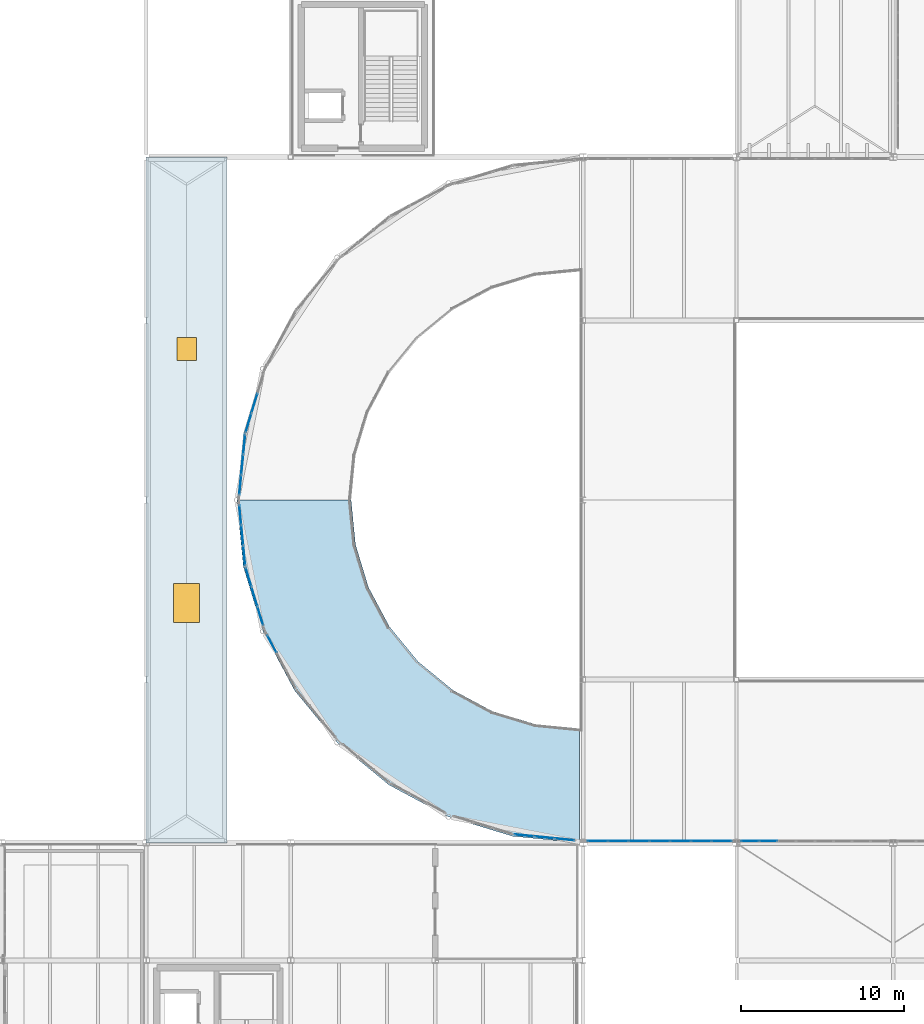
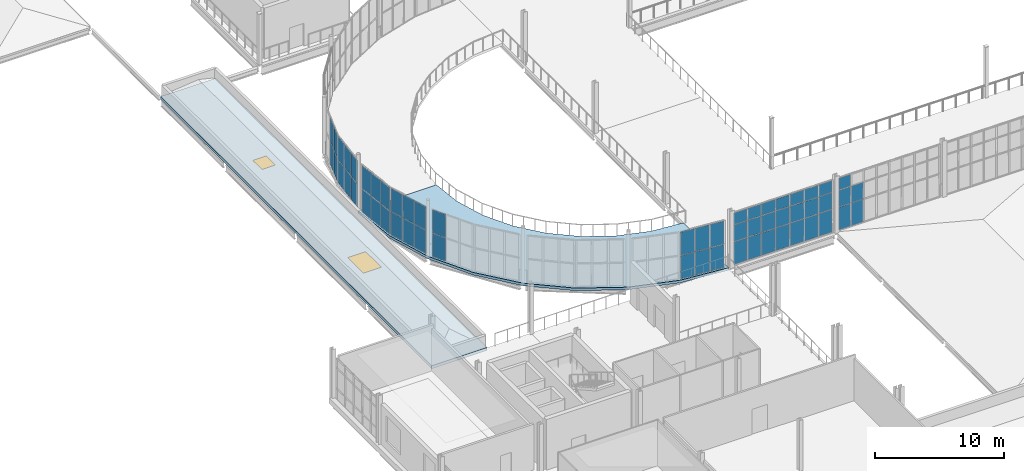
# One storey, part 74 of 112: 56 plates, 2 slabs, 1 door, 1 window, 2 openings, 8 elements without a shape of their own.
"""IFC4 building model written with IfcOpenShell, lengths in metres."""

from ifc_helpers import new_model, si_unit, direction, frame, origin, origin_2d, place, context, subcontext, project, spatial, polyline, rectangle, outline, extrude, material, layer, layer_set, type_object, element, fill, aggregate, save


model = new_model("IFC4")

# Units and contexts
model_context = context("Model", 3, precision=1e-05, world=origin(), true_north=direction((0.0, 1.0)))
body_context = subcontext(model_context, "Body", "Model", "MODEL_VIEW")
ifc_project = project(units=[si_unit("LENGTHUNIT", "METRE"), si_unit("AREAUNIT", "SQUARE_METRE"), si_unit("VOLUMEUNIT", "CUBIC_METRE"), si_unit("PLANEANGLEUNIT", "RADIAN"), si_unit("MASSUNIT", "GRAM", prefix="KILO")], contexts=[model_context])

# Site, building, storey
site_placement = place(None, origin())
site = spatial("IfcSite", under=ifc_project, at=site_placement, CompositionType="ELEMENT")
building_placement = place(site_placement, origin())
building = spatial("IfcBuilding", under=site, at=building_placement, Name="Yeouljin Market Hall", CompositionType="ELEMENT")
storey_placement = place(building_placement, frame((0.0, 0.0, 6.0)))
storey = spatial("IfcBuildingStorey", under=building, at=storey_placement, Name="L01", CompositionType="ELEMENT", Elevation=6.0)

# Curtain wall, plates
ifc_material_1 = material(Name="Thermally Broken Aluminium", Category="aluminium")
ifc_layer_1 = layer(ifc_material_1, 0.159912109375)
ifc_layer_set_1 = layer_set([ifc_layer_1], Name="Thermally Broken Aluminium")
curtain_wall_type_1 = type_object("IfcCurtainWallType", Name="CW_HallClerestory_System", PredefinedType="USERDEFINED", material=ifc_layer_set_1)
curtain_wall_1_placement = place(storey_placement, origin())
curtain_wall_1 = element("IfcCurtainWall", 1, at=curtain_wall_1_placement, inside=storey, type_object=curtain_wall_type_1, Name="Curtain wall CW-V1S-L01-01", ObjectType="CURTAIN WALL", PredefinedType="USERDEFINED")
ifc_material_2 = material(Name="Low-E Insulated Glass", Category="glass")
ifc_layer_2 = layer(ifc_material_2, 0.028076171875)
ifc_layer_set_2 = layer_set([ifc_layer_2], Name="Low-E Insulated Glass")
plate_type = type_object("IfcPlateType", Name="CWPanel_LowE_28", PredefinedType="CURTAIN_PANEL", material=ifc_layer_set_2)
plate_1_placement = place(storey_placement, frame((44.102294921875, 36.10009765625, 0.048095703125), z_axis=(0.0, 0.0, 1.0), x_axis=(-1.0, 0.0, 0.0)))
plate_1 = element("IfcPlate", 2, at=plate_1_placement, type_object=plate_type, Name="CW-02 panel 1.1", PredefinedType="CURTAIN_PANEL", context=body_context, shape_type="SweptSolid", body=[
    extrude(rectangle(XDim=1.199462890625, YDim=0.028076171875, at=origin_2d()), origin(), (0.0, 0.0, 1.0), 2.1279296875),
])
plate_2_placement = place(storey_placement, frame((44.102294921875, 36.10009765625, 2.22412109375), z_axis=(0.0, 0.0, 1.0), x_axis=(-1.0, 0.0, 0.0)))
plate_2 = element("IfcPlate", 3, at=plate_2_placement, type_object=plate_type, Name="CW-02 panel 1.2", PredefinedType="CURTAIN_PANEL", context=body_context, shape_type="SweptSolid", body=[
    extrude(rectangle(XDim=1.199462890625, YDim=0.028076171875, at=origin_2d()), origin(), (0.0, 0.0, 1.0), 1.552001953125),
])
plate_3_placement = place(storey_placement, frame((44.102294921875, 36.10009765625, 3.82421875), z_axis=(0.0, 0.0, 1.0), x_axis=(-1.0, 0.0, 0.0)))
plate_3 = element("IfcPlate", 4, at=plate_3_placement, type_object=plate_type, Name="CW-02 panel 1.3", PredefinedType="CURTAIN_PANEL", context=body_context, shape_type="SweptSolid", body=[
    extrude(rectangle(XDim=1.199462890625, YDim=0.028076171875, at=origin_2d()), origin(), (0.0, 0.0, 1.0), 1.097900390625),
])
plate_4_placement = place(storey_placement, frame((42.8427734375, 36.10009765625, 0.048095703125), z_axis=(0.0, 0.0, 1.0), x_axis=(-1.0, 0.0, 0.0)))
plate_4 = element("IfcPlate", 5, at=plate_4_placement, type_object=plate_type, Name="CW-02 panel 2.1", PredefinedType="CURTAIN_PANEL", context=body_context, shape_type="SweptSolid", body=[
    extrude(rectangle(XDim=1.223388671875, YDim=0.028076171875, at=origin_2d()), origin(), (0.0, 0.0, 1.0), 2.1279296875),
])
plate_5_placement = place(storey_placement, frame((42.8427734375, 36.10009765625, 2.22412109375), z_axis=(0.0, 0.0, 1.0), x_axis=(-1.0, 0.0, 0.0)))
plate_5 = element("IfcPlate", 6, at=plate_5_placement, type_object=plate_type, Name="CW-02 panel 2.2", PredefinedType="CURTAIN_PANEL", context=body_context, shape_type="SweptSolid", body=[
    extrude(rectangle(XDim=1.223388671875, YDim=0.028076171875, at=origin_2d()), origin(), (0.0, 0.0, 1.0), 1.552001953125),
])
plate_6_placement = place(storey_placement, frame((42.8427734375, 36.10009765625, 3.82421875), z_axis=(0.0, 0.0, 1.0), x_axis=(-1.0, 0.0, 0.0)))
plate_6 = element("IfcPlate", 7, at=plate_6_placement, type_object=plate_type, Name="CW-02 panel 2.3", PredefinedType="CURTAIN_PANEL", context=body_context, shape_type="SweptSolid", body=[
    extrude(rectangle(XDim=1.223388671875, YDim=0.028076171875, at=origin_2d()), origin(), (0.0, 0.0, 1.0), 1.097900390625),
])
plate_7_placement = place(storey_placement, frame((41.571533203125, 36.10009765625, 0.048095703125), z_axis=(0.0, 0.0, 1.0), x_axis=(-1.0, 0.0, 0.0)))
plate_7 = element("IfcPlate", 8, at=plate_7_placement, type_object=plate_type, Name="CW-02 panel 3.1", PredefinedType="CURTAIN_PANEL", context=body_context, shape_type="SweptSolid", body=[
    extrude(rectangle(XDim=1.223388671875, YDim=0.028076171875, at=origin_2d()), origin(), (0.0, 0.0, 1.0), 2.1279296875),
])
plate_8_placement = place(storey_placement, frame((41.571533203125, 36.10009765625, 2.22412109375), z_axis=(0.0, 0.0, 1.0), x_axis=(-1.0, 0.0, 0.0)))
plate_8 = element("IfcPlate", 9, at=plate_8_placement, type_object=plate_type, Name="CW-02 panel 3.2", PredefinedType="CURTAIN_PANEL", context=body_context, shape_type="SweptSolid", body=[
    extrude(rectangle(XDim=1.223388671875, YDim=0.028076171875, at=origin_2d()), origin(), (0.0, 0.0, 1.0), 1.552001953125),
])
plate_9_placement = place(storey_placement, frame((41.571533203125, 36.10009765625, 3.82421875), z_axis=(0.0, 0.0, 1.0), x_axis=(-1.0, 0.0, 0.0)))
plate_9 = element("IfcPlate", 10, at=plate_9_placement, type_object=plate_type, Name="CW-02 panel 3.3", PredefinedType="CURTAIN_PANEL", context=body_context, shape_type="SweptSolid", body=[
    extrude(rectangle(XDim=1.223388671875, YDim=0.028076171875, at=origin_2d()), origin(), (0.0, 0.0, 1.0), 1.097900390625),
])
plate_10_placement = place(storey_placement, frame((40.300048828125, 36.10009765625, 0.048095703125), z_axis=(0.0, 0.0, 1.0), x_axis=(-1.0, 0.0, 0.0)))
plate_10 = element("IfcPlate", 11, at=plate_10_placement, type_object=plate_type, Name="CW-02 panel 4.1", PredefinedType="CURTAIN_PANEL", context=body_context, shape_type="SweptSolid", body=[
    extrude(rectangle(XDim=1.223388671875, YDim=0.028076171875, at=origin_2d()), origin(), (0.0, 0.0, 1.0), 2.1279296875),
])
plate_11_placement = place(storey_placement, frame((40.300048828125, 36.10009765625, 2.22412109375), z_axis=(0.0, 0.0, 1.0), x_axis=(-1.0, 0.0, 0.0)))
plate_11 = element("IfcPlate", 12, at=plate_11_placement, type_object=plate_type, Name="CW-02 panel 4.2", PredefinedType="CURTAIN_PANEL", context=body_context, shape_type="SweptSolid", body=[
    extrude(rectangle(XDim=1.223388671875, YDim=0.028076171875, at=origin_2d()), origin(), (0.0, 0.0, 1.0), 1.552001953125),
])
plate_12_placement = place(storey_placement, frame((40.300048828125, 36.10009765625, 3.82421875), z_axis=(0.0, 0.0, 1.0), x_axis=(-1.0, 0.0, 0.0)))
plate_12 = element("IfcPlate", 13, at=plate_12_placement, type_object=plate_type, Name="CW-02 panel 4.3", PredefinedType="CURTAIN_PANEL", context=body_context, shape_type="SweptSolid", body=[
    extrude(rectangle(XDim=1.223388671875, YDim=0.028076171875, at=origin_2d()), origin(), (0.0, 0.0, 1.0), 1.097900390625),
])
plate_13_placement = place(storey_placement, frame((39.028564453125, 36.10009765625, 0.048095703125), z_axis=(0.0, 0.0, 1.0), x_axis=(-1.0, 0.0, 0.0)))
plate_13 = element("IfcPlate", 14, at=plate_13_placement, type_object=plate_type, Name="CW-02 panel 5.1", PredefinedType="CURTAIN_PANEL", context=body_context, shape_type="SweptSolid", body=[
    extrude(rectangle(XDim=1.223388671875, YDim=0.028076171875, at=origin_2d()), origin(), (0.0, 0.0, 1.0), 2.1279296875),
])
plate_14_placement = place(storey_placement, frame((39.028564453125, 36.10009765625, 2.22412109375), z_axis=(0.0, 0.0, 1.0), x_axis=(-1.0, 0.0, 0.0)))
plate_14 = element("IfcPlate", 15, at=plate_14_placement, type_object=plate_type, Name="CW-02 panel 5.2", PredefinedType="CURTAIN_PANEL", context=body_context, shape_type="SweptSolid", body=[
    extrude(rectangle(XDim=1.223388671875, YDim=0.028076171875, at=origin_2d()), origin(), (0.0, 0.0, 1.0), 1.552001953125),
])
plate_15_placement = place(storey_placement, frame((39.028564453125, 36.10009765625, 3.82421875), z_axis=(0.0, 0.0, 1.0), x_axis=(-1.0, 0.0, 0.0)))
plate_15 = element("IfcPlate", 16, at=plate_15_placement, type_object=plate_type, Name="CW-02 panel 5.3", PredefinedType="CURTAIN_PANEL", context=body_context, shape_type="SweptSolid", body=[
    extrude(rectangle(XDim=1.223388671875, YDim=0.028076171875, at=origin_2d()), origin(), (0.0, 0.0, 1.0), 1.097900390625),
])
plate_16_placement = place(storey_placement, frame((37.757080078125, 36.10009765625, 0.048095703125), z_axis=(0.0, 0.0, 1.0), x_axis=(-1.0, 0.0, 0.0)))
plate_16 = element("IfcPlate", 17, at=plate_16_placement, type_object=plate_type, Name="CW-02 panel 6.1", PredefinedType="CURTAIN_PANEL", context=body_context, shape_type="SweptSolid", body=[
    extrude(rectangle(XDim=1.223388671875, YDim=0.028076171875, at=origin_2d()), origin(), (0.0, 0.0, 1.0), 2.1279296875),
])
plate_17_placement = place(storey_placement, frame((37.757080078125, 36.10009765625, 2.22412109375), z_axis=(0.0, 0.0, 1.0), x_axis=(-1.0, 0.0, 0.0)))
plate_17 = element("IfcPlate", 18, at=plate_17_placement, type_object=plate_type, Name="CW-02 panel 6.2", PredefinedType="CURTAIN_PANEL", context=body_context, shape_type="SweptSolid", body=[
    extrude(rectangle(XDim=1.223388671875, YDim=0.028076171875, at=origin_2d()), origin(), (0.0, 0.0, 1.0), 1.552001953125),
])
plate_18_placement = place(storey_placement, frame((37.757080078125, 36.10009765625, 3.82421875), z_axis=(0.0, 0.0, 1.0), x_axis=(-1.0, 0.0, 0.0)))
plate_18 = element("IfcPlate", 19, at=plate_18_placement, type_object=plate_type, Name="CW-02 panel 6.3", PredefinedType="CURTAIN_PANEL", context=body_context, shape_type="SweptSolid", body=[
    extrude(rectangle(XDim=1.223388671875, YDim=0.028076171875, at=origin_2d()), origin(), (0.0, 0.0, 1.0), 1.097900390625),
])
plate_19_placement = place(storey_placement, frame((36.497802734375, 36.10009765625, 0.048095703125), z_axis=(0.0, 0.0, 1.0), x_axis=(-1.0, 0.0, 0.0)))
plate_19 = element("IfcPlate", 20, at=plate_19_placement, type_object=plate_type, Name="CW-02 panel 7.1", PredefinedType="CURTAIN_PANEL", context=body_context, shape_type="SweptSolid", body=[
    extrude(rectangle(XDim=1.199462890625, YDim=0.028076171875, at=origin_2d()), origin(), (0.0, 0.0, 1.0), 2.1279296875),
])
plate_20_placement = place(storey_placement, frame((36.497802734375, 36.10009765625, 2.22412109375), z_axis=(0.0, 0.0, 1.0), x_axis=(-1.0, 0.0, 0.0)))
plate_20 = element("IfcPlate", 21, at=plate_20_placement, type_object=plate_type, Name="CW-02 panel 7.2", PredefinedType="CURTAIN_PANEL", context=body_context, shape_type="SweptSolid", body=[
    extrude(rectangle(XDim=1.199462890625, YDim=0.028076171875, at=origin_2d()), origin(), (0.0, 0.0, 1.0), 1.552001953125),
])
plate_21_placement = place(storey_placement, frame((36.497802734375, 36.10009765625, 3.82421875), z_axis=(0.0, 0.0, 1.0), x_axis=(-1.0, 0.0, 0.0)))
plate_21 = element("IfcPlate", 22, at=plate_21_placement, type_object=plate_type, Name="CW-02 panel 7.3", PredefinedType="CURTAIN_PANEL", context=body_context, shape_type="SweptSolid", body=[
    extrude(rectangle(XDim=1.199462890625, YDim=0.028076171875, at=origin_2d()), origin(), (0.0, 0.0, 1.0), 1.097900390625),
])
aggregate(curtain_wall_1, [plate_1, plate_2, plate_3, plate_4, plate_5, plate_6, plate_7, plate_8, plate_9, plate_10, plate_11, plate_12, plate_13, plate_14, plate_15, plate_16, plate_17, plate_18, plate_19, plate_20, plate_21])

curtain_wall_2_placement = place(storey_placement, origin())
curtain_wall_2 = element("IfcCurtainWall", 23, at=curtain_wall_2_placement, inside=storey, type_object=curtain_wall_type_1, Name="Curtain wall CW-V1S-L01-02", ObjectType="CURTAIN WALL", PredefinedType="USERDEFINED")
plate_22_placement = place(storey_placement, frame((46.956298828125, 36.10009765625, 0.048095703125), z_axis=(0.0, 0.0, 1.0), x_axis=(-1.0, 0.0, 0.0)))
plate_22 = element("IfcPlate", 24, at=plate_22_placement, type_object=plate_type, Name="CW-02 panel 7.1", PredefinedType="CURTAIN_PANEL", context=body_context, shape_type="SweptSolid", body=[
    extrude(rectangle(XDim=1.089599609375, YDim=0.028076171875, at=origin_2d()), origin(), (0.0, 0.0, 1.0), 2.1279296875),
])
plate_23_placement = place(storey_placement, frame((46.956298828125, 36.10009765625, 2.22412109375), z_axis=(0.0, 0.0, 1.0), x_axis=(-1.0, 0.0, 0.0)))
plate_23 = element("IfcPlate", 25, at=plate_23_placement, type_object=plate_type, Name="CW-02 panel 7.2", PredefinedType="CURTAIN_PANEL", context=body_context, shape_type="SweptSolid", body=[
    extrude(rectangle(XDim=1.089599609375, YDim=0.028076171875, at=origin_2d()), origin(), (0.0, 0.0, 1.0), 1.552001953125),
])
plate_24_placement = place(storey_placement, frame((45.830810546875, 36.10009765625, 0.048095703125), z_axis=(0.0, 0.0, 1.0), x_axis=(-1.0, 0.0, 0.0)))
plate_24 = element("IfcPlate", 26, at=plate_24_placement, type_object=plate_type, Name="CW-02 panel 8.1", PredefinedType="CURTAIN_PANEL", context=body_context, shape_type="SweptSolid", body=[
    extrude(rectangle(XDim=1.0654296875, YDim=0.028076171875, at=origin_2d()), origin(), (0.0, 0.0, 1.0), 2.1279296875),
])
plate_25_placement = place(storey_placement, frame((45.830810546875, 36.10009765625, 2.22412109375), z_axis=(0.0, 0.0, 1.0), x_axis=(-1.0, 0.0, 0.0)))
plate_25 = element("IfcPlate", 27, at=plate_25_placement, type_object=plate_type, Name="CW-02 panel 8.2", PredefinedType="CURTAIN_PANEL", context=body_context, shape_type="SweptSolid", body=[
    extrude(rectangle(XDim=1.0654296875, YDim=0.028076171875, at=origin_2d()), origin(), (0.0, 0.0, 1.0), 1.552001953125),
])
plate_26_placement = place(storey_placement, frame((45.830810546875, 36.10009765625, 3.82421875), z_axis=(0.0, 0.0, 1.0), x_axis=(-1.0, 0.0, 0.0)))
plate_26 = element("IfcPlate", 28, at=plate_26_placement, type_object=plate_type, Name="CW-02 panel 8.3", PredefinedType="CURTAIN_PANEL", context=body_context, shape_type="SweptSolid", body=[
    extrude(rectangle(XDim=1.0654296875, YDim=0.028076171875, at=origin_2d()), origin(), (0.0, 0.0, 1.0), 1.097900390625),
])
aggregate(curtain_wall_2, [plate_22, plate_23, plate_24, plate_25, plate_26])

ifc_material_3 = material(Name="Thermally Broken Aluminium", Category="aluminium")
ifc_layer_3 = layer(ifc_material_3, 0.179931640625)
ifc_layer_set_3 = layer_set([ifc_layer_3], Name="Thermally Broken Aluminium")
curtain_wall_type_2 = type_object("IfcCurtainWallType", Name="CW_ApseCurved_System", PredefinedType="USERDEFINED", material=ifc_layer_set_3)
curtain_wall_3_placement = place(storey_placement, origin())
curtain_wall_3 = element("IfcCurtainWall", 29, at=curtain_wall_3_placement, inside=storey, type_object=curtain_wall_type_2, Name="Curtain wall CW-AP-WL01-01", ObjectType="CURTAIN WALL", PredefinedType="USERDEFINED")
plate_27_placement = place(storey_placement, frame((34.483642578125, 36.210205078125, 0.0478515625), z_axis=(0.0, 0.0, 1.0), x_axis=(-0.995183051807, 0.09803414403, 0.0)))
plate_27 = element("IfcPlate", 30, at=plate_27_placement, type_object=plate_type, Name="CW-03 panel 1.1", PredefinedType="CURTAIN_PANEL", context=body_context, shape_type="SweptSolid", body=[
    extrude(rectangle(XDim=1.185791015625, YDim=0.028076171875, at=origin_2d()), origin(), (0.0, 0.0, 1.0), 2.177978515625),
])
plate_28_placement = place(storey_placement, frame((34.483642578125, 36.210205078125, 2.27392578125), z_axis=(0.0, 0.0, 1.0), x_axis=(-0.995183051807, 0.09803414403, 0.0)))
plate_28 = element("IfcPlate", 31, at=plate_28_placement, type_object=plate_type, Name="CW-03 panel 1.2", PredefinedType="CURTAIN_PANEL", context=body_context, shape_type="SweptSolid", body=[
    extrude(rectangle(XDim=1.185791015625, YDim=0.028076171875, at=origin_2d()), origin(), (0.0, 0.0, 1.0), 2.177978515625),
])
plate_29_placement = place(storey_placement, frame((33.243896484375, 36.332275390625, 0.0478515625), z_axis=(0.0, 0.0, 1.0), x_axis=(-0.995183051807, 0.09803414403, 0.0)))
plate_29 = element("IfcPlate", 32, at=plate_29_placement, type_object=plate_type, Name="CW-03 panel 2.1", PredefinedType="CURTAIN_PANEL", context=body_context, shape_type="SweptSolid", body=[
    extrude(rectangle(XDim=1.209716796875, YDim=0.028076171875, at=origin_2d()), origin(), (0.0, 0.0, 1.0), 2.177978515625),
])
plate_30_placement = place(storey_placement, frame((33.243896484375, 36.332275390625, 2.27392578125), z_axis=(0.0, 0.0, 1.0), x_axis=(-0.995183051807, 0.09803414403, 0.0)))
plate_30 = element("IfcPlate", 33, at=plate_30_placement, type_object=plate_type, Name="CW-03 panel 2.2", PredefinedType="CURTAIN_PANEL", context=body_context, shape_type="SweptSolid", body=[
    extrude(rectangle(XDim=1.209716796875, YDim=0.028076171875, at=origin_2d()), origin(), (0.0, 0.0, 1.0), 2.177978515625),
])
plate_31_placement = place(storey_placement, frame((32.004150390625, 36.45458984375, 0.0478515625), z_axis=(0.0, 0.0, 1.0), x_axis=(-0.995183051807, 0.09803414403, 0.0)))
plate_31 = element("IfcPlate", 34, at=plate_31_placement, type_object=plate_type, Name="CW-03 panel 3.1", PredefinedType="CURTAIN_PANEL", context=body_context, shape_type="SweptSolid", body=[
    extrude(rectangle(XDim=1.185791015625, YDim=0.028076171875, at=origin_2d()), origin(), (0.0, 0.0, 1.0), 2.177978515625),
])
plate_32_placement = place(storey_placement, frame((32.004150390625, 36.45458984375, 2.27392578125), z_axis=(0.0, 0.0, 1.0), x_axis=(-0.995183051807, 0.09803414403, 0.0)))
plate_32 = element("IfcPlate", 35, at=plate_32_placement, type_object=plate_type, Name="CW-03 panel 3.2", PredefinedType="CURTAIN_PANEL", context=body_context, shape_type="SweptSolid", body=[
    extrude(rectangle(XDim=1.185791015625, YDim=0.028076171875, at=origin_2d()), origin(), (0.0, 0.0, 1.0), 2.177978515625),
])
aggregate(curtain_wall_3, [plate_27, plate_28, plate_29, plate_30, plate_31, plate_32])

curtain_wall_4_placement = place(storey_placement, origin())
curtain_wall_4 = element("IfcCurtainWall", 36, at=curtain_wall_4_placement, inside=storey, type_object=curtain_wall_type_2, Name="Curtain wall CW-AP-WL01-06", ObjectType="CURTAIN WALL", PredefinedType="USERDEFINED")
plate_33_placement = place(storey_placement, frame((16.54345703125, 48.197509765625, 0.0478515625), z_axis=(0.0, 0.0, 1.0), x_axis=(-0.471377626598, 0.881931478712, 0.0)))
plate_33 = element("IfcPlate", 37, at=plate_33_placement, type_object=plate_type, Name="CW-03 panel 3.1", PredefinedType="CURTAIN_PANEL", context=body_context, shape_type="SweptSolid", body=[
    extrude(rectangle(XDim=1.185791015625, YDim=0.028076171875, at=origin_2d()), origin(), (0.0, 0.0, 1.0), 2.177978515625),
])
plate_34_placement = place(storey_placement, frame((16.54345703125, 48.197509765625, 2.27392578125), z_axis=(0.0, 0.0, 1.0), x_axis=(-0.471377626598, 0.881931478712, 0.0)))
plate_34 = element("IfcPlate", 38, at=plate_34_placement, type_object=plate_type, Name="CW-03 panel 3.2", PredefinedType="CURTAIN_PANEL", context=body_context, shape_type="SweptSolid", body=[
    extrude(rectangle(XDim=1.185791015625, YDim=0.028076171875, at=origin_2d()), origin(), (0.0, 0.0, 1.0), 2.177978515625),
])
aggregate(curtain_wall_4, [plate_33, plate_34])

curtain_wall_5_placement = place(storey_placement, origin())
curtain_wall_5 = element("IfcCurtainWall", 39, at=curtain_wall_5_placement, inside=storey, type_object=curtain_wall_type_2, Name="Curtain wall CW-AP-WL01-07", ObjectType="CURTAIN WALL", PredefinedType="USERDEFINED")
plate_35_placement = place(storey_placement, frame((15.842041015625, 49.890869140625, 0.0478515625), z_axis=(0.0, 0.0, 1.0), x_axis=(-0.290286164863, 0.95693988447, 0.0)))
plate_35 = element("IfcPlate", 40, at=plate_35_placement, type_object=plate_type, Name="CW-03 panel 1.1", PredefinedType="CURTAIN_PANEL", context=body_context, shape_type="SweptSolid", body=[
    extrude(rectangle(XDim=1.185791015625, YDim=0.028076171875, at=origin_2d()), origin(), (0.0, 0.0, 1.0), 2.177978515625),
])
plate_36_placement = place(storey_placement, frame((15.842041015625, 49.890869140625, 2.27392578125), z_axis=(0.0, 0.0, 1.0), x_axis=(-0.290286164863, 0.95693988447, 0.0)))
plate_36 = element("IfcPlate", 41, at=plate_36_placement, type_object=plate_type, Name="CW-03 panel 1.2", PredefinedType="CURTAIN_PANEL", context=body_context, shape_type="SweptSolid", body=[
    extrude(rectangle(XDim=1.185791015625, YDim=0.028076171875, at=origin_2d()), origin(), (0.0, 0.0, 1.0), 2.177978515625),
])
plate_37_placement = place(storey_placement, frame((15.48046875, 51.082763671875, 0.0478515625), z_axis=(0.0, 0.0, 1.0), x_axis=(-0.290286164863, 0.95693988447, 0.0)))
plate_37 = element("IfcPlate", 42, at=plate_37_placement, type_object=plate_type, Name="CW-03 panel 2.1", PredefinedType="CURTAIN_PANEL", context=body_context, shape_type="SweptSolid", body=[
    extrude(rectangle(XDim=1.209716796875, YDim=0.028076171875, at=origin_2d()), origin(), (0.0, 0.0, 1.0), 2.177978515625),
])
plate_38_placement = place(storey_placement, frame((15.48046875, 51.082763671875, 2.27392578125), z_axis=(0.0, 0.0, 1.0), x_axis=(-0.290286164863, 0.95693988447, 0.0)))
plate_38 = element("IfcPlate", 43, at=plate_38_placement, type_object=plate_type, Name="CW-03 panel 2.2", PredefinedType="CURTAIN_PANEL", context=body_context, shape_type="SweptSolid", body=[
    extrude(rectangle(XDim=1.209716796875, YDim=0.028076171875, at=origin_2d()), origin(), (0.0, 0.0, 1.0), 2.177978515625),
])
plate_39_placement = place(storey_placement, frame((15.118896484375, 52.27490234375, 0.0478515625), z_axis=(0.0, 0.0, 1.0), x_axis=(-0.290286164863, 0.95693988447, 0.0)))
plate_39 = element("IfcPlate", 44, at=plate_39_placement, type_object=plate_type, Name="CW-03 panel 3.1", PredefinedType="CURTAIN_PANEL", context=body_context, shape_type="SweptSolid", body=[
    extrude(rectangle(XDim=1.185791015625, YDim=0.028076171875, at=origin_2d()), origin(), (0.0, 0.0, 1.0), 2.177978515625),
])
plate_40_placement = place(storey_placement, frame((15.118896484375, 52.27490234375, 2.27392578125), z_axis=(0.0, 0.0, 1.0), x_axis=(-0.290286164863, 0.95693988447, 0.0)))
plate_40 = element("IfcPlate", 45, at=plate_40_placement, type_object=plate_type, Name="CW-03 panel 3.2", PredefinedType="CURTAIN_PANEL", context=body_context, shape_type="SweptSolid", body=[
    extrude(rectangle(XDim=1.185791015625, YDim=0.028076171875, at=origin_2d()), origin(), (0.0, 0.0, 1.0), 2.177978515625),
])
aggregate(curtain_wall_5, [plate_35, plate_36, plate_37, plate_38, plate_39, plate_40])

curtain_wall_6_placement = place(storey_placement, origin())
curtain_wall_6 = element("IfcCurtainWall", 46, at=curtain_wall_6_placement, inside=storey, type_object=curtain_wall_type_2, Name="Curtain wall CW-AP-WL01-08", ObjectType="CURTAIN WALL", PredefinedType="USERDEFINED")
plate_41_placement = place(storey_placement, frame((14.8544921875, 53.60400390625, 0.0478515625), z_axis=(0.0, 0.0, 1.0), x_axis=(-0.09803414403, 0.995183051807, 0.0)))
plate_41 = element("IfcPlate", 47, at=plate_41_placement, type_object=plate_type, Name="CW-03 panel 1.1", PredefinedType="CURTAIN_PANEL", context=body_context, shape_type="SweptSolid", body=[
    extrude(rectangle(XDim=1.185791015625, YDim=0.028076171875, at=origin_2d()), origin(), (0.0, 0.0, 1.0), 2.177978515625),
])
plate_42_placement = place(storey_placement, frame((14.8544921875, 53.60400390625, 2.27392578125), z_axis=(0.0, 0.0, 1.0), x_axis=(-0.09803414403, 0.995183051807, 0.0)))
plate_42 = element("IfcPlate", 48, at=plate_42_placement, type_object=plate_type, Name="CW-03 panel 1.2", PredefinedType="CURTAIN_PANEL", context=body_context, shape_type="SweptSolid", body=[
    extrude(rectangle(XDim=1.185791015625, YDim=0.028076171875, at=origin_2d()), origin(), (0.0, 0.0, 1.0), 2.177978515625),
])
plate_43_placement = place(storey_placement, frame((14.732421875, 54.84375, 0.0478515625), z_axis=(0.0, 0.0, 1.0), x_axis=(-0.09803414403, 0.995183051807, 0.0)))
plate_43 = element("IfcPlate", 49, at=plate_43_placement, type_object=plate_type, Name="CW-03 panel 2.1", PredefinedType="CURTAIN_PANEL", context=body_context, shape_type="SweptSolid", body=[
    extrude(rectangle(XDim=1.209716796875, YDim=0.028076171875, at=origin_2d()), origin(), (0.0, 0.0, 1.0), 2.177978515625),
])
plate_44_placement = place(storey_placement, frame((14.732421875, 54.84375, 2.27392578125), z_axis=(0.0, 0.0, 1.0), x_axis=(-0.09803414403, 0.995183051807, 0.0)))
plate_44 = element("IfcPlate", 50, at=plate_44_placement, type_object=plate_type, Name="CW-03 panel 2.2", PredefinedType="CURTAIN_PANEL", context=body_context, shape_type="SweptSolid", body=[
    extrude(rectangle(XDim=1.209716796875, YDim=0.028076171875, at=origin_2d()), origin(), (0.0, 0.0, 1.0), 2.177978515625),
])
plate_45_placement = place(storey_placement, frame((14.610107421875, 56.08349609375, 0.0478515625), z_axis=(0.0, 0.0, 1.0), x_axis=(-0.09803414403, 0.995183051807, 0.0)))
plate_45 = element("IfcPlate", 51, at=plate_45_placement, type_object=plate_type, Name="CW-03 panel 3.1", PredefinedType="CURTAIN_PANEL", context=body_context, shape_type="SweptSolid", body=[
    extrude(rectangle(XDim=1.185791015625, YDim=0.028076171875, at=origin_2d()), origin(), (0.0, 0.0, 1.0), 2.177978515625),
])
plate_46_placement = place(storey_placement, frame((14.610107421875, 56.08349609375, 2.27392578125), z_axis=(0.0, 0.0, 1.0), x_axis=(-0.09803414403, 0.995183051807, 0.0)))
plate_46 = element("IfcPlate", 52, at=plate_46_placement, type_object=plate_type, Name="CW-03 panel 3.2", PredefinedType="CURTAIN_PANEL", context=body_context, shape_type="SweptSolid", body=[
    extrude(rectangle(XDim=1.185791015625, YDim=0.028076171875, at=origin_2d()), origin(), (0.0, 0.0, 1.0), 2.177978515625),
])
aggregate(curtain_wall_6, [plate_41, plate_42, plate_43, plate_44, plate_45, plate_46])

curtain_wall_7_placement = place(storey_placement, origin())
curtain_wall_7 = element("IfcCurtainWall", 53, at=curtain_wall_7_placement, inside=storey, type_object=curtain_wall_type_2, Name="Curtain wall CW-AP-WL01-09", ObjectType="CURTAIN WALL", PredefinedType="USERDEFINED")
plate_47_placement = place(storey_placement, frame((14.610107421875, 57.91650390625, 0.0478515625), z_axis=(0.0, 0.0, 1.0), x_axis=(0.09803414403, 0.995183051807, 0.0)))
plate_47 = element("IfcPlate", 54, at=plate_47_placement, type_object=plate_type, Name="CW-03 panel 1.1", PredefinedType="CURTAIN_PANEL", context=body_context, shape_type="SweptSolid", body=[
    extrude(rectangle(XDim=1.185791015625, YDim=0.028076171875, at=origin_2d()), origin(), (0.0, 0.0, 1.0), 2.177978515625),
])
plate_48_placement = place(storey_placement, frame((14.610107421875, 57.91650390625, 2.27392578125), z_axis=(0.0, 0.0, 1.0), x_axis=(0.09803414403, 0.995183051807, 0.0)))
plate_48 = element("IfcPlate", 55, at=plate_48_placement, type_object=plate_type, Name="CW-03 panel 1.2", PredefinedType="CURTAIN_PANEL", context=body_context, shape_type="SweptSolid", body=[
    extrude(rectangle(XDim=1.185791015625, YDim=0.028076171875, at=origin_2d()), origin(), (0.0, 0.0, 1.0), 2.177978515625),
])
plate_49_placement = place(storey_placement, frame((14.732421875, 59.15625, 0.0478515625), z_axis=(0.0, 0.0, 1.0), x_axis=(0.09803414403, 0.995183051807, 0.0)))
plate_49 = element("IfcPlate", 56, at=plate_49_placement, type_object=plate_type, Name="CW-03 panel 2.1", PredefinedType="CURTAIN_PANEL", context=body_context, shape_type="SweptSolid", body=[
    extrude(rectangle(XDim=1.209716796875, YDim=0.028076171875, at=origin_2d()), origin(), (0.0, 0.0, 1.0), 2.177978515625),
])
plate_50_placement = place(storey_placement, frame((14.732421875, 59.15625, 2.27392578125), z_axis=(0.0, 0.0, 1.0), x_axis=(0.09803414403, 0.995183051807, 0.0)))
plate_50 = element("IfcPlate", 57, at=plate_50_placement, type_object=plate_type, Name="CW-03 panel 2.2", PredefinedType="CURTAIN_PANEL", context=body_context, shape_type="SweptSolid", body=[
    extrude(rectangle(XDim=1.209716796875, YDim=0.028076171875, at=origin_2d()), origin(), (0.0, 0.0, 1.0), 2.177978515625),
])
plate_51_placement = place(storey_placement, frame((14.8544921875, 60.39599609375, 0.0478515625), z_axis=(0.0, 0.0, 1.0), x_axis=(0.09803414403, 0.995183051807, 0.0)))
plate_51 = element("IfcPlate", 58, at=plate_51_placement, type_object=plate_type, Name="CW-03 panel 3.1", PredefinedType="CURTAIN_PANEL", context=body_context, shape_type="SweptSolid", body=[
    extrude(rectangle(XDim=1.185791015625, YDim=0.028076171875, at=origin_2d()), origin(), (0.0, 0.0, 1.0), 2.177978515625),
])
plate_52_placement = place(storey_placement, frame((14.8544921875, 60.39599609375, 2.27392578125), z_axis=(0.0, 0.0, 1.0), x_axis=(0.09803414403, 0.995183051807, 0.0)))
plate_52 = element("IfcPlate", 59, at=plate_52_placement, type_object=plate_type, Name="CW-03 panel 3.2", PredefinedType="CURTAIN_PANEL", context=body_context, shape_type="SweptSolid", body=[
    extrude(rectangle(XDim=1.185791015625, YDim=0.028076171875, at=origin_2d()), origin(), (0.0, 0.0, 1.0), 2.177978515625),
])
aggregate(curtain_wall_7, [plate_47, plate_48, plate_49, plate_50, plate_51, plate_52])

curtain_wall_8_placement = place(storey_placement, origin())
curtain_wall_8 = element("IfcCurtainWall", 60, at=curtain_wall_8_placement, inside=storey, type_object=curtain_wall_type_2, Name="Curtain wall CW-AP-WL01-10", ObjectType="CURTAIN WALL", PredefinedType="USERDEFINED")
plate_53_placement = place(storey_placement, frame((15.118896484375, 61.72509765625, 0.0478515625), z_axis=(0.0, 0.0, 1.0), x_axis=(0.290286164863, 0.95693988447, 0.0)))
plate_53 = element("IfcPlate", 61, at=plate_53_placement, type_object=plate_type, Name="CW-03 panel 1.1", PredefinedType="CURTAIN_PANEL", context=body_context, shape_type="SweptSolid", body=[
    extrude(rectangle(XDim=1.185791015625, YDim=0.028076171875, at=origin_2d()), origin(), (0.0, 0.0, 1.0), 2.177978515625),
])
plate_54_placement = place(storey_placement, frame((15.118896484375, 61.72509765625, 2.27392578125), z_axis=(0.0, 0.0, 1.0), x_axis=(0.290286164863, 0.95693988447, 0.0)))
plate_54 = element("IfcPlate", 62, at=plate_54_placement, type_object=plate_type, Name="CW-03 panel 1.2", PredefinedType="CURTAIN_PANEL", context=body_context, shape_type="SweptSolid", body=[
    extrude(rectangle(XDim=1.185791015625, YDim=0.028076171875, at=origin_2d()), origin(), (0.0, 0.0, 1.0), 2.177978515625),
])
plate_55_placement = place(storey_placement, frame((15.48046875, 62.917236328125, 0.0478515625), z_axis=(0.0, 0.0, 1.0), x_axis=(0.290286164863, 0.95693988447, 0.0)))
plate_55 = element("IfcPlate", 63, at=plate_55_placement, type_object=plate_type, Name="CW-03 panel 2.1", PredefinedType="CURTAIN_PANEL", context=body_context, shape_type="SweptSolid", body=[
    extrude(rectangle(XDim=1.209716796875, YDim=0.028076171875, at=origin_2d()), origin(), (0.0, 0.0, 1.0), 2.177978515625),
])
plate_56_placement = place(storey_placement, frame((15.48046875, 62.917236328125, 2.27392578125), z_axis=(0.0, 0.0, 1.0), x_axis=(0.290286164863, 0.95693988447, 0.0)))
plate_56 = element("IfcPlate", 64, at=plate_56_placement, type_object=plate_type, Name="CW-03 panel 2.2", PredefinedType="CURTAIN_PANEL", context=body_context, shape_type="SweptSolid", body=[
    extrude(rectangle(XDim=1.209716796875, YDim=0.028076171875, at=origin_2d()), origin(), (0.0, 0.0, 1.0), 2.177978515625),
])
aggregate(curtain_wall_8, [plate_53, plate_54, plate_55, plate_56])

# Slab
ifc_material_4 = material(Name="Concrete C30/37", Category="concrete")
ifc_layer_4 = layer(ifc_material_4, 0.2451171875)
ifc_layer_set_4 = layer_set([ifc_layer_4], Name="Concrete C30/37")
slab_type_1 = type_object("IfcSlabType", Name="SLB_MEZZ_230", PredefinedType="FLOOR", material=ifc_layer_set_4)
slab_1_placement = place(storey_placement, frame((0.0, 0.0, -0.2451171875)))
element("IfcSlab", 65, at=slab_1_placement, inside=storey, type_object=slab_type_1, Name="Structural slab SLB-L01-AWS", PredefinedType="FLOOR", context=body_context, shape_type="SweptSolid", body=[
    extrude(outline(polyline([(14.39990234375, 57.0), (14.803466796875, 52.903076171875), (15.99853515625, 48.963623046875), (17.939208984375, 45.3330078125), (20.55078125, 42.15087890625), (23.73291015625, 39.5390625), (27.363525390625, 37.598388671875), (31.302978515625, 36.403564453125), (35.39990234375, 36.0), (35.39990234375, 43.0), (32.668701171875, 43.26904296875), (30.04248046875, 44.065673828125), (27.6220703125, 45.359375), (25.50048828125, 47.1005859375), (23.759521484375, 49.221923828125), (22.4658203125, 51.642333984375), (21.6689453125, 54.268798828125), (21.39990234375, 57.0), (14.39990234375, 57.0)])), origin(), (0.0, 0.0, 1.0), 0.2451171875),
])

# Slab, openings, door, window
ifc_material_5 = material(Name="Concrete C30/37", Category="concrete")
ifc_layer_5 = layer(ifc_material_5, 0.27490234375)
ifc_layer_set_5 = layer_set([ifc_layer_5], Name="Concrete C30/37")
slab_type_2 = type_object("IfcSlabType", Name="SLB_ROOF_210", PredefinedType="ROOF", material=ifc_layer_set_5)
slab_2_placement = place(storey_placement, frame((0.0, 0.0, -0.264892578125)))
slab_2 = element("IfcSlab", 66, at=slab_2_placement, inside=storey, type_object=slab_type_2, Name="Wing structural roof slab RSLB-V2-L01M", PredefinedType="ROOF", context=body_context, shape_type="SweptSolid", body=[
    extrude(outline(polyline([(8.85009765625, 36.0), (13.800048828125, 36.0), (13.800048828125, 78.0), (8.85009765625, 78.0), (8.85009765625, 36.0)])), origin(), (0.0, 0.0, 1.0), 0.27490234375),
])
opening_1_placement = place(slab_2_placement, frame((11.324951171875, 50.699951171875, 0.0)))
opening_1 = element("IfcOpeningElement", 67, at=opening_1_placement, cuts=slab_2, Name="Opening SK-01", PredefinedType="OPENING", context=body_context, shape_type="SweptSolid", body=[
    extrude(rectangle(XDim=1.60009765625, YDim=2.39990234375, at=origin_2d()), origin(), (0.0, 0.0, 1.0), 0.27490234375),
])
opening_2_placement = place(slab_2_placement, frame((11.324951171875, 66.239990234375, 0.0)))
opening_2 = element("IfcOpeningElement", 68, at=opening_2_placement, cuts=slab_2, Name="Opening HT-03", PredefinedType="OPENING", context=body_context, shape_type="SweptSolid", body=[
    extrude(rectangle(XDim=1.199951171875, YDim=1.39990234375, at=origin_2d()), origin(), (0.0, 0.0, 1.0), 0.27490234375),
])
ifc_material_6 = material(Name="Galvanised Painted Steel", Category="steel")
door_type = type_object("IfcDoorType", Name="DT-HT120", OperationType="SINGLE_SWING_LEFT", PredefinedType="TRAPDOOR", material=ifc_material_6)
door_placement = place(opening_2_placement, frame((0.0, 0.0, 0.224853515625)))
door = element("IfcDoor", 69, at=door_placement, inside=storey, type_object=door_type, Name="Roof maintenance access hatch HT-03", OperationType="SINGLE_SWING_LEFT", OverallHeight=1.39990234375, OverallWidth=1.199951171875, PredefinedType="TRAPDOOR", context=body_context, shape_type="SweptSolid", body=[
    extrude(rectangle(XDim=1.199951171875, YDim=1.39990234375, at=origin_2d()), origin(), (0.0, 0.0, 1.0), 0.050048828125),
])
fill(opening_2, door)
ifc_material_7 = material(Name="Low-E Insulated Glass", Category="glass")
window_type = type_object("IfcWindowType", Name="Skylight_1600x2400", PartitioningType="SINGLE_PANEL", PredefinedType="SKYLIGHT", material=ifc_material_7)
window_placement = place(opening_1_placement, frame((0.0, 0.0, 0.224853515625)))
window = element("IfcWindow", 70, at=window_placement, inside=storey, type_object=window_type, Name="Roof skylight 07", OverallHeight=2.39990234375, OverallWidth=1.60009765625, PartitioningType="SINGLE_PANEL", PredefinedType="SKYLIGHT", context=body_context, shape_type="SweptSolid", body=[
    extrude(rectangle(XDim=1.60009765625, YDim=2.39990234375, at=origin_2d()), origin(), (0.0, 0.0, 1.0), 0.050048828125),
])
fill(opening_1, window)

save(model, "model.ifc")
